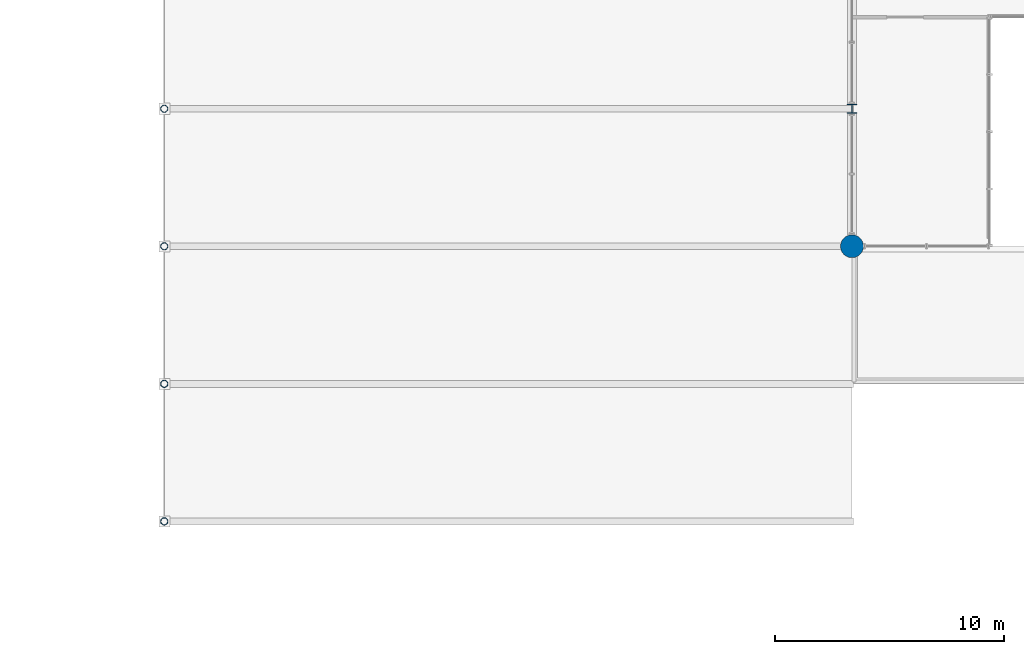
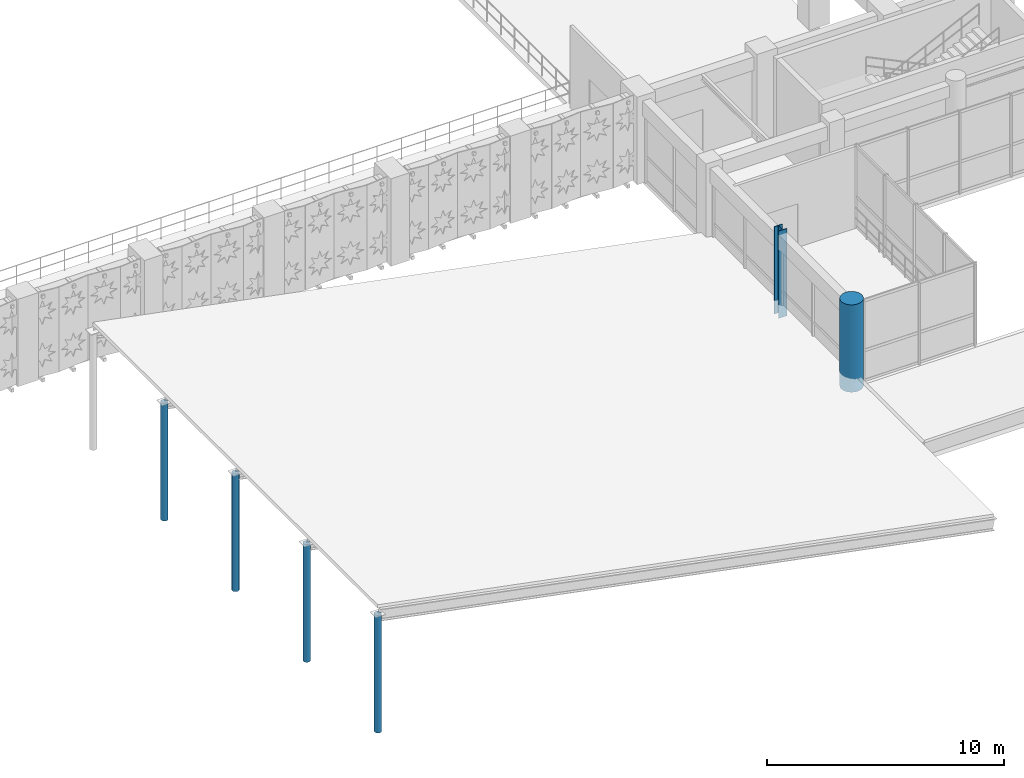
# One storey, part 1 of 133: 6 columns.
"""IFC4 building model written with IfcOpenShell, lengths in metres."""

from ifc_helpers import new_model, si_unit, direction, frame, origin, origin_2d, place, context, subcontext, project, spatial, circle, hollow_circle, i_section, extrude, material, material_profile, profile_set, type_object, element, save


model = new_model("IFC4")

# Units and contexts
model_context = context("Model", 3, precision=1e-05, world=origin(), true_north=direction((0.0, 1.0)))
body_context = subcontext(model_context, "Body", "Model", "MODEL_VIEW")
ifc_project = project(units=[si_unit("LENGTHUNIT", "METRE"), si_unit("AREAUNIT", "SQUARE_METRE"), si_unit("VOLUMEUNIT", "CUBIC_METRE"), si_unit("PLANEANGLEUNIT", "RADIAN"), si_unit("MASSUNIT", "GRAM", prefix="KILO"), si_unit("THERMODYNAMICTEMPERATUREUNIT", "KELVIN"), si_unit("POWERUNIT", "WATT")], contexts=[model_context])

# Site, building, storey
site_placement = place(None, origin())
site = spatial("IfcSite", under=ifc_project, at=site_placement, CompositionType="ELEMENT")
building_placement = place(site_placement, origin())
building = spatial("IfcBuilding", under=site, at=building_placement, Name="Phaisarnlok Congress Hotel", CompositionType="ELEMENT")
storey_placement = place(building_placement, frame((0.0, 0.0, 6.0)))
storey = spatial("IfcBuildingStorey", under=building, at=storey_placement, Name="L01", CompositionType="ELEMENT", Elevation=6.0)

# Columns
ifc_material_1 = material(Name="Concrete C50/60", Category="concrete")
ifc_material_profile_1 = material_profile(ifc_material_1, circle(Radius=0.5, at=origin_2d()), Name="RCC D1000")
ifc_profile_set_1 = profile_set([ifc_material_profile_1], Name="Concrete C50/60")
column_type_1 = type_object("IfcColumnType", Name="COL-RCC-1000", PredefinedType="COLUMN", material=ifc_profile_set_1)
column_1_placement = place(storey_placement, frame((54.0, 24.0, 0.0), z_axis=(0.0, 0.0, 1.0), x_axis=(1.0, 0.0, 0.0)))
element("IfcColumn", 1, at=column_1_placement, inside=storey, type_object=column_type_1, Name="Column C-15 (L01)", PredefinedType="COLUMN", context=body_context, shape_type="SweptSolid", body=[
    extrude(circle(Radius=0.5, at=origin_2d()), origin(), (0.0, 0.0, 1.0), 4.5),
])
ifc_material_2 = material(Name="Steel S355", Category="steel")
ifc_material_profile_2 = material_profile(ifc_material_2, hollow_circle(Radius=0.161865234375, WallThickness=0.01611328125, at=origin_2d()), Name="CHS 323.9x16")
ifc_profile_set_2 = profile_set([ifc_material_profile_2], Name="Steel S355")
column_type_2 = type_object("IfcColumnType", Name="COL-STL-CHS324-EXT", PredefinedType="COLUMN", material=ifc_profile_set_2)
for number, where, z_axis, x_axis, name in (
    (2, (24.0, 12.0, 0.0), (0.0, 0.0, 1.0), (1.0, 0.0, 0.0), "MRT canopy steel column SC-01E"),
    (3, (24.0, 18.0, 0.0), (0.0, 0.0, 1.0), (1.0, 0.0, 0.0), "MRT canopy steel column SC-01E"),
    (4, (24.0, 24.0, 0.0), (0.0, 0.0, 1.0), (1.0, 0.0, 0.0), "MRT canopy steel column SC-01E"),
    (5, (24.0, 30.0, 0.0), (0.0, 0.0, 1.0), (1.0, 0.0, 0.0), "MRT canopy steel column SC-01E"),
):
    element("IfcColumn", number, at=place(storey_placement, frame(where, z_axis=z_axis, x_axis=x_axis)), inside=storey, type_object=column_type_2, Name=name, PredefinedType="COLUMN", context=body_context, shape_type="SweptSolid", body=[
        extrude(hollow_circle(Radius=0.161865234375, WallThickness=0.01611328125, at=origin_2d()), origin(), (0.0, 0.0, 1.0), 6.051513671875),
    ])
ifc_material_profile_3 = material_profile(ifc_material_2, i_section(OverallWidth=0.40087890625, OverallDepth=0.39892578125, WebThickness=0.0185546875, FlangeThickness=0.030029296875, FilletRadius=0.014892578125, at=origin_2d()), Name="HD 400x314")
ifc_profile_set_3 = profile_set([ifc_material_profile_3], Name="Steel S355")
column_type_3 = type_object("IfcColumnType", Name="COL-STL-HD314", PredefinedType="COLUMN", material=ifc_profile_set_3)
column_2_placement = place(storey_placement, frame((54.0, 30.0, 0.0), z_axis=(0.0, 0.0, 1.0), x_axis=(1.0, 0.0, 0.0)))
element("IfcColumn", 6, at=column_2_placement, inside=storey, type_object=column_type_3, Name="Column SC-04 (L01)", PredefinedType="COLUMN", context=body_context, shape_type="SweptSolid", body=[
    extrude(i_section(OverallWidth=0.40087890625, OverallDepth=0.39892578125, WebThickness=0.0185546875, FlangeThickness=0.030029296875, FilletRadius=0.014892578125, at=origin_2d()), origin(), (0.0, 0.0, 1.0), 4.5),
])

save(model, "model.ifc")
